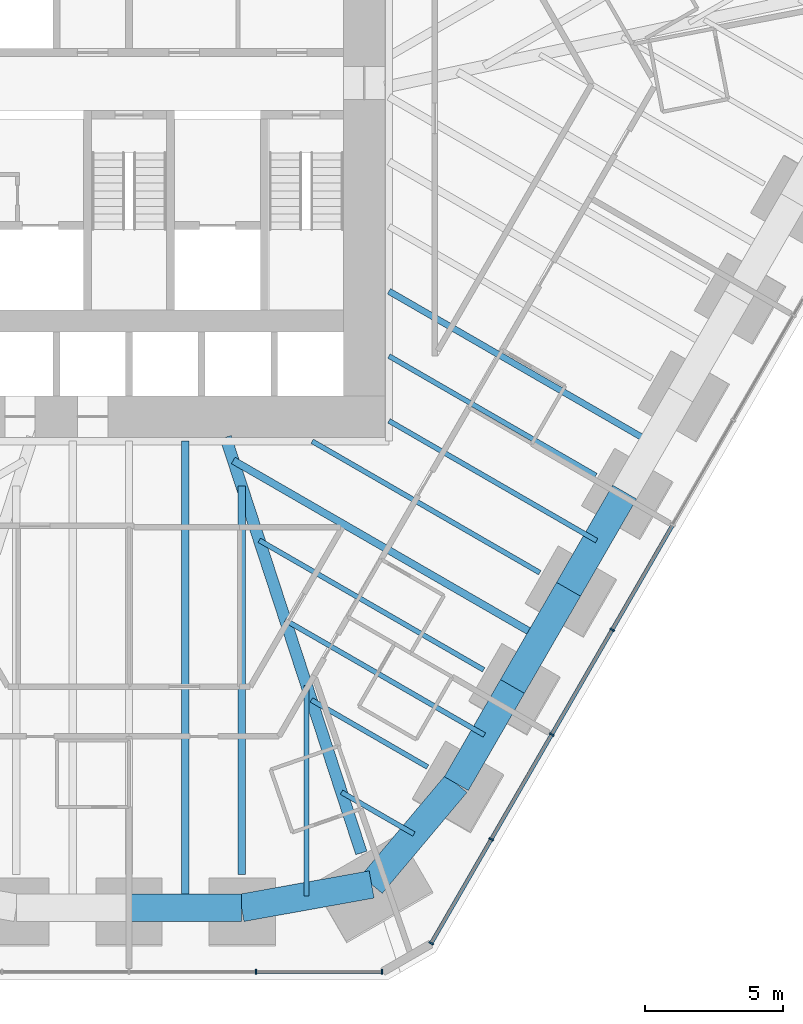
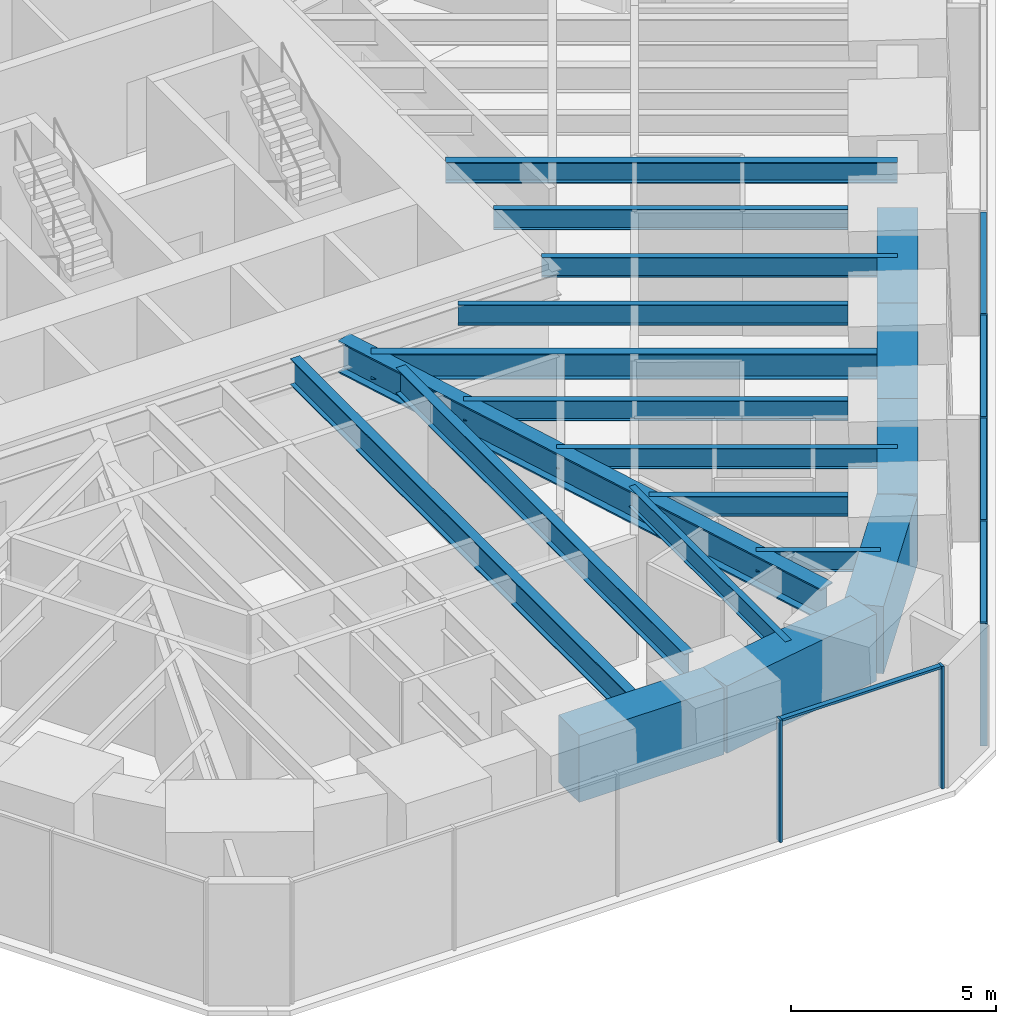
# One storey, part 5 of 17: 19 beams, 11 members, 2 elements without a shape of their own.
"""IFC4 building model written with IfcOpenShell, lengths in metres."""

import ifcopenshell
import ifcopenshell.guid

model = None  # the IFC model being written
_history = None  # IfcOwnerHistory: only IFC2X3 demands one
_inside = {}  # id of a spatial element -> (the spatial element, [elements in it])
_under = {}  # id of a project, library or spatial element -> (it, [spatial elements below it])
_declared = {}  # id of a project -> (the project, [libraries it declares])
_typed = {}  # id of a type object -> (the type object, [elements of that type])
_made_of = {}  # id of a material, layer set ... -> (it, [elements and type objects made of it])


def new_model(schema):
    """Start an empty IFC model of exactly this schema.

    Asked for "IFC4X3", IfcOpenShell would pick the latest addendum, in which some entities
    have other attributes; the version numbers below select the first issue.
    IFC2X3 requires an IfcOwnerHistory on every rooted entity: one is made here for all.
    """
    global model, _history
    if schema == "IFC4X3":
        model = ifcopenshell.file(schema_version=(4, 3, 0, 0))
    else:
        model = ifcopenshell.file(schema=schema)
    _inside.clear()
    _under.clear()
    _declared.clear()
    _typed.clear()
    _made_of.clear()
    _history = None
    if model.schema == "IFC2X3":
        org = make("IfcOrganization", Name="unknown")
        user = make(
            "IfcPersonAndOrganization",
            ThePerson=make("IfcPerson", FamilyName="unknown"),
            TheOrganization=org,
        )
        app = make(
            "IfcApplication",
            ApplicationDeveloper=org,
            Version="unknown",
            ApplicationFullName="unknown",
            ApplicationIdentifier="unknown",
        )
        _history = make(
            "IfcOwnerHistory",
            OwningUser=user,
            OwningApplication=app,
            ChangeAction="ADDED",
            CreationDate=0,
        )
    return model


def make(cls, **values):
    """One entity of the class cls with the attributes given. An attribute that is None is left unset."""
    return model.create_entity(
        cls, **{name: value for name, value in values.items() if value is not None}
    )


def rooted(cls, **values):
    """An entity with a GlobalId (a new one), such as an element, a storey or a relation."""
    return make(cls, GlobalId=ifcopenshell.guid.new(), OwnerHistory=_history, **values)


def si_unit(unit_type, name, prefix=None):
    """IfcSIUnit, for example si_unit("LENGTHUNIT", "METRE", prefix="MILLI")."""
    return make("IfcSIUnit", UnitType=unit_type, Prefix=prefix, Name=name)


def assignment(units):
    """IfcUnitAssignment: the units of a project."""
    return None if units is None else make("IfcUnitAssignment", Units=units)


def point(xyz):
    """IfcCartesianPoint."""
    return None if xyz is None else make("IfcCartesianPoint", Coordinates=xyz)


def direction(xyz):
    """IfcDirection."""
    return None if xyz is None else make("IfcDirection", DirectionRatios=xyz)


def frame(location, z_axis=None, x_axis=None):
    """IfcAxis2Placement3D, a coordinate frame: its origin and axes. An axis left out is left unset."""
    return make(
        "IfcAxis2Placement3D",
        Location=point(location),
        Axis=direction(z_axis),
        RefDirection=direction(x_axis),
    )


def frame_2d(location, x_axis=None):
    """IfcAxis2Placement2D, a coordinate frame in the plane: its origin and x axis."""
    return make(
        "IfcAxis2Placement2D", Location=point(location), RefDirection=direction(x_axis)
    )


def origin():
    """The frame at (0, 0, 0) with its axes left unset."""
    return frame((0.0, 0.0, 0.0))


def origin_2d():
    """The frame at (0, 0) in the plane with its x axis left unset."""
    return frame_2d((0.0, 0.0))


def place(relative_to, where):
    """IfcLocalPlacement: puts the frame where relative to a parent placement (None: the world)."""
    return make(
        "IfcLocalPlacement", PlacementRelTo=relative_to, RelativePlacement=where
    )


def context(
    kind, dimensions, precision=None, world=None, true_north=None, identifier=None
):
    """IfcGeometricRepresentationContext, for example the 3D "Model" context."""
    return make(
        "IfcGeometricRepresentationContext",
        ContextIdentifier=identifier,
        ContextType=kind,
        CoordinateSpaceDimension=dimensions,
        Precision=precision,
        WorldCoordinateSystem=world,
        TrueNorth=true_north,
    )


def subcontext(parent, identifier, kind, view, scale=None):
    """IfcGeometricRepresentationSubContext, for example "Body" below "Model"."""
    return make(
        "IfcGeometricRepresentationSubContext",
        ContextIdentifier=identifier,
        ContextType=kind,
        ParentContext=parent,
        TargetScale=scale,
        TargetView=view,
    )


def project(units=None, contexts=None):
    """IfcProject with its units and contexts."""
    return rooted(
        "IfcProject",
        Name="project",
        RepresentationContexts=contexts,
        UnitsInContext=assignment(units),
    )


def spatial(cls, under=None, at=None, **own):
    """A site, building, storey or space (cls), placed at a placement, below another one or the project."""
    s = rooted(cls, ObjectPlacement=at, **own)
    if under is not None:
        _under.setdefault(under.id(), (under, []))[1].append(s)
    return s


def profile(cls, at=None, kind="AREA", **sizes):
    """A parametric profile (cls). Its sizes go by their IFC names, for example OverallWidth=200.0."""
    return make(cls, ProfileType=kind, Position=at, **sizes)


def rectangle(**sizes):
    """IfcRectangleProfileDef."""
    return profile("IfcRectangleProfileDef", **sizes)


def i_section(**sizes):
    """IfcIShapeProfileDef."""
    return profile("IfcIShapeProfileDef", **sizes)


def extrude(swept, where, along, depth):
    """IfcExtrudedAreaSolid: the profile swept, set in the frame where, extruded along a direction by depth."""
    return make(
        "IfcExtrudedAreaSolid",
        SweptArea=swept,
        Position=where,
        ExtrudedDirection=direction(along),
        Depth=depth,
    )


def shape(context_of_items, identifier, shape_type, items):
    """IfcShapeRepresentation: the items that make up one representation, for example the "Body"."""
    return make(
        "IfcShapeRepresentation",
        ContextOfItems=context_of_items,
        RepresentationIdentifier=identifier,
        RepresentationType=shape_type,
        Items=items,
    )


def material(Name=None, Category=None):
    """IfcMaterial."""
    return make("IfcMaterial", Name=Name, Category=Category)


def material_profile(
    of_material, cross_section, Name=None, Category=None, Priority=None
):
    """IfcMaterialProfile: a cross section and its material."""
    return make(
        "IfcMaterialProfile",
        Name=Name,
        Material=of_material,
        Profile=cross_section,
        Priority=Priority,
        Category=Category,
    )


def profile_set(profiles, Name=None, composite=None):
    """IfcMaterialProfileSet."""
    return make(
        "IfcMaterialProfileSet",
        Name=Name,
        MaterialProfiles=profiles,
        CompositeProfile=composite,
    )


def made_of(thing, what):
    """Note that an element or type object is made of a material, layer set ...; save() writes the relation."""
    if what is not None:
        _made_of.setdefault(what.id(), (what, []))[1].append(thing)
    return thing


def type_object(cls, material=None, **own):
    """A type object (cls), such as IfcWallType, which elements share."""
    return made_of(rooted(cls, **own), material)


def element(
    cls,
    number,
    at=None,
    inside=None,
    cuts=None,
    type_object=None,
    material=None,
    context=None,
    identifier="Body",
    shape_type=None,
    held_by="IfcProductDefinitionShape",
    body=None,
    shapes=None,
    **own,
):
    """One element of the class cls, such as IfcWall. Its Tag is "e" and its number.

    at: its placement. inside: the storey or other place that contains it. cuts: it is an
    opening in that element (IfcRelVoidsElement). A single representation is given by context,
    identifier, shape_type and body (its items); several are given by shapes. held_by: the class
    of the entity that holds the representations. save() writes the other relations.
    """
    e = rooted(cls, Tag="e%d" % number, ObjectPlacement=at, **own)
    if body is not None:
        shapes = [shape(context, identifier, shape_type, body)]
    if shapes is not None:
        e.Representation = make(held_by, Representations=shapes)
    if inside is not None:
        _inside.setdefault(inside.id(), (inside, []))[1].append(e)
    if cuts is not None:
        rooted(
            "IfcRelVoidsElement", RelatingBuildingElement=cuts, RelatedOpeningElement=e
        )
    if type_object is not None:
        _typed.setdefault(type_object.id(), (type_object, []))[1].append(e)
    return made_of(e, material)


def aggregate(whole, parts):
    """IfcRelAggregates: a whole, such as a stair, and the parts it consists of."""
    return rooted("IfcRelAggregates", RelatingObject=whole, RelatedObjects=parts)


def save(model, path):
    """Write the relations noted so far, then the file.

    IfcRelAggregates (storeys below a building ...), IfcRelContainedInSpatialStructure (elements
    in a storey), IfcRelDefinesByType, IfcRelAssociatesMaterial and IfcRelDeclares: one each for
    every whole, place, type object, material and project.
    """
    for whole, parts in _under.values():
        aggregate(whole, parts)
    for where, things in _inside.values():
        rooted(
            "IfcRelContainedInSpatialStructure",
            RelatedElements=things,
            RelatingStructure=where,
        )
    for kind, things in _typed.values():
        rooted("IfcRelDefinesByType", RelatedObjects=things, RelatingType=kind)
    for what, things in _made_of.values():
        rooted("IfcRelAssociatesMaterial", RelatedObjects=things, RelatingMaterial=what)
    for by, libraries in _declared.values():
        rooted("IfcRelDeclares", RelatingContext=by, RelatedDefinitions=libraries)
    model.write(path)


model = new_model("IFC4")

# Units and contexts
model_context = context("Model", 3, precision=1e-05, world=origin(), true_north=direction((0.0, 1.0)))
body_context = subcontext(model_context, "Body", "Model", "MODEL_VIEW")
ifc_project = project(units=[si_unit("LENGTHUNIT", "METRE"), si_unit("AREAUNIT", "SQUARE_METRE"), si_unit("VOLUMEUNIT", "CUBIC_METRE"), si_unit("PLANEANGLEUNIT", "RADIAN"), si_unit("MASSUNIT", "GRAM", prefix="KILO")], contexts=[model_context])

# Site, building, storey
site_placement = place(None, origin())
site = spatial("IfcSite", under=ifc_project, at=site_placement, CompositionType="ELEMENT")
building_placement = place(site_placement, origin())
building = spatial("IfcBuilding", under=site, at=building_placement, Name="Sandreach Pilgrim Tower", CompositionType="ELEMENT")
storey_placement = place(building_placement, frame((0.0, 0.0, 76.199951171875)))
storey = spatial("IfcBuildingStorey", under=building, at=storey_placement, Name="L18", CompositionType="ELEMENT", Elevation=76.199951171875)

# Curtain wall, members
ifc_material_1 = material(Name="Aluminium framed curtain wall", Category="aluminium")
curtain_wall_type = type_object("IfcCurtainWallType", Name="Hostel tower curtain wall", PredefinedType="NOTDEFINED", material=ifc_material_1)
curtain_wall_1_placement = place(storey_placement, origin())
curtain_wall_1 = element("IfcCurtainWall", 1, at=curtain_wall_1_placement, inside=storey, type_object=curtain_wall_type, Name="CW-1 L18 SE", PredefinedType="NOTDEFINED")
ifc_material_2 = material(Name="Aluminium extrusion", Category="aluminium")
ifc_material_profile_1 = material_profile(ifc_material_2, rectangle(XDim=0.06494140625, YDim=0.179931640625, at=origin_2d()), Name="CW-1M 65X180")
ifc_profile_set_1 = profile_set([ifc_material_profile_1], Name="Aluminium extrusion")
member_type_1 = type_object("IfcMemberType", Name="CW-1 mullion", PredefinedType="MULLION", material=ifc_profile_set_1)
member_1_placement = place(storey_placement, frame((17.46142578125, -17.6533203125, 0.0), z_axis=(0.0, 0.0, 1.0), x_axis=(-0.5, -0.866025403784, 0.0)))
member_1 = element("IfcMember", 2, at=member_1_placement, type_object=member_type_1, Name="CW-1 mullion 7", PredefinedType="MULLION", context=body_context, shape_type="SweptSolid", body=[
    extrude(rectangle(XDim=0.06494140625, YDim=0.179931640625, at=origin_2d()), origin(), (0.0, 0.0, 1.0), 3.64013671875),
])
member_2_placement = place(storey_placement, frame((15.275634765625, -21.439208984375, 0.0), z_axis=(0.0, 0.0, 1.0), x_axis=(-0.5, -0.866025403784, 0.0)))
member_2 = element("IfcMember", 3, at=member_2_placement, type_object=member_type_1, Name="CW-1 mullion 8", PredefinedType="MULLION", context=body_context, shape_type="SweptSolid", body=[
    extrude(rectangle(XDim=0.06494140625, YDim=0.179931640625, at=origin_2d()), origin(), (0.0, 0.0, 1.0), 3.64013671875),
])
member_3_placement = place(storey_placement, frame((13.08984375, -25.22509765625, 0.0), z_axis=(0.0, 0.0, 1.0), x_axis=(-0.5, -0.866025403784, 0.0)))
member_3 = element("IfcMember", 4, at=member_3_placement, type_object=member_type_1, Name="CW-1 mullion 9", PredefinedType="MULLION", context=body_context, shape_type="SweptSolid", body=[
    extrude(rectangle(XDim=0.06494140625, YDim=0.179931640625, at=origin_2d()), origin(), (0.0, 0.0, 1.0), 3.64013671875),
])
member_4_placement = place(storey_placement, frame((10.92041015625, -28.982666015625, 0.0), z_axis=(0.0, 0.0, 1.0), x_axis=(-0.5, -0.866025403784, 0.0)))
member_4 = element("IfcMember", 5, at=member_4_placement, type_object=member_type_1, Name="CW-1 mullion 10", PredefinedType="MULLION", context=body_context, shape_type="SweptSolid", body=[
    extrude(rectangle(XDim=0.06494140625, YDim=0.179931640625, at=origin_2d()), origin(), (0.0, 0.0, 1.0), 3.64013671875),
])

curtain_wall_2_placement = place(storey_placement, origin())
curtain_wall_2 = element("IfcCurtainWall", 6, at=curtain_wall_2_placement, inside=storey, type_object=curtain_wall_type, Name="CW-1 L18 S", PredefinedType="NOTDEFINED")
member_5_placement = place(storey_placement, frame((9.1396484375, -30.010986328125, 0.0), z_axis=(0.0, 0.0, 1.0), x_axis=(-1.0, 0.0, 0.0)))
member_5 = element("IfcMember", 7, at=member_5_placement, type_object=member_type_1, Name="CW-1 mullion 1", PredefinedType="MULLION", context=body_context, shape_type="SweptSolid", body=[
    extrude(rectangle(XDim=0.06494140625, YDim=0.179931640625, at=origin_2d()), origin(), (0.0, 0.0, 1.0), 3.64013671875),
])
member_6_placement = place(storey_placement, frame((4.5859375, -30.010986328125, 0.0), z_axis=(0.0, 0.0, 1.0), x_axis=(-1.0, 0.0, 0.0)))
member_6 = element("IfcMember", 8, at=member_6_placement, type_object=member_type_1, Name="CW-1 mullion 2", PredefinedType="MULLION", context=body_context, shape_type="SweptSolid", body=[
    extrude(rectangle(XDim=0.06494140625, YDim=0.179931640625, at=origin_2d()), origin(), (0.0, 0.0, 1.0), 3.64013671875),
])

# Member
ifc_material_3 = material(Name="Aluminium extrusion", Category="aluminium")
ifc_material_profile_2 = material_profile(ifc_material_3, rectangle(XDim=0.139892578125, YDim=0.070068359375, at=origin_2d()), Name="CW-1T 140X70")
ifc_profile_set_2 = profile_set([ifc_material_profile_2], Name="Aluminium extrusion")
member_type_2 = type_object("IfcMemberType", Name="CW-1 transom", PredefinedType="USERDEFINED", material=ifc_profile_set_2)
member_7_placement = place(storey_placement, frame((19.631103515625, -13.8955078125, 3.60498046875), z_axis=(-0.500016891966, -0.866015650984, 0.0), x_axis=(0.866015650984, -0.500016891966, 0.0)))
member_7 = element("IfcMember", 9, at=member_7_placement, type_object=member_type_2, Name="CW-1 head transom 6", ObjectType="TRANSOM", PredefinedType="USERDEFINED", context=body_context, shape_type="SweptSolid", body=[
    extrude(rectangle(XDim=0.139892578125, YDim=0.070068359375, at=origin_2d()), origin(), (0.0, 0.0, 1.0), 4.306396484375),
])

member_8_placement = place(storey_placement, frame((17.4453125, -17.681396484375, 3.60498046875), z_axis=(-0.500016891966, -0.866015650984, 0.0), x_axis=(0.866015650984, -0.500016891966, 0.0)))
member_8 = element("IfcMember", 10, at=member_8_placement, type_object=member_type_2, Name="CW-1 head transom 7", ObjectType="TRANSOM", PredefinedType="USERDEFINED", context=body_context, shape_type="SweptSolid", body=[
    extrude(rectangle(XDim=0.139892578125, YDim=0.070068359375, at=origin_2d()), origin(), (0.0, 0.0, 1.0), 4.306396484375),
])

member_9_placement = place(storey_placement, frame((15.259521484375, -21.46728515625, 3.60498046875), z_axis=(-0.500016891966, -0.866015650984, 0.0), x_axis=(0.866015650984, -0.500016891966, 0.0)))
member_9 = element("IfcMember", 11, at=member_9_placement, type_object=member_type_2, Name="CW-1 head transom 8", ObjectType="TRANSOM", PredefinedType="USERDEFINED", context=body_context, shape_type="SweptSolid", body=[
    extrude(rectangle(XDim=0.139892578125, YDim=0.070068359375, at=origin_2d()), origin(), (0.0, 0.0, 1.0), 4.306396484375),
])

member_10_placement = place(storey_placement, frame((13.07373046875, -25.253173828125, 3.60498046875), z_axis=(-0.500033953635, -0.866005799756, 0.0), x_axis=(0.866005799756, -0.500033953635, 0.0)))
member_10 = element("IfcMember", 12, at=member_10_placement, type_object=member_type_2, Name="CW-1 head transom 9", ObjectType="TRANSOM", PredefinedType="USERDEFINED", context=body_context, shape_type="SweptSolid", body=[
    extrude(rectangle(XDim=0.139892578125, YDim=0.070068359375, at=origin_2d()), origin(), (0.0, 0.0, 1.0), 4.274169921875),
])

aggregate(curtain_wall_1, [member_1, member_2, member_3, member_4, member_7, member_8, member_9, member_10])

member_11_placement = place(storey_placement, frame((9.107177734375, -30.010986328125, 3.60498046875), z_axis=(-1.0, 0.0, 0.0), x_axis=(0.0, -1.0, 0.0)))
member_11 = element("IfcMember", 13, at=member_11_placement, type_object=member_type_2, Name="CW-1 head transom 1", ObjectType="TRANSOM", PredefinedType="USERDEFINED", context=body_context, shape_type="SweptSolid", body=[
    extrude(rectangle(XDim=0.139892578125, YDim=0.070068359375, at=origin_2d()), origin(), (0.0, 0.0, 1.0), 4.488525390625),
])

aggregate(curtain_wall_2, [member_5, member_6, member_11])

# Beams
ifc_material_4 = material(Name="Steel ASTM A992 Grade 50", Category="steel")
ifc_material_profile_3 = material_profile(ifc_material_4, i_section(OverallWidth=0.424072265625, OverallDepth=0.947509765625, WebThickness=0.02392578125, FlangeThickness=0.042724609375, at=origin_2d()), Name="W36X302")
ifc_profile_set_3 = profile_set([ifc_material_profile_3], Name="Steel ASTM A992 Grade 50")
beam_type_1 = type_object("IfcBeamType", Name="Corner girder W36X302", PredefinedType="BEAM", material=ifc_profile_set_3)
beam_1_placement = place(storey_placement, frame((8.395263671875, -25.71826171875, 3.166259765625), z_axis=(-0.310324547383, 0.950630672391, 0.0), x_axis=(-0.950630672391, -0.310324547383, 0.0)))
element("IfcBeam", 14, at=beam_1_placement, inside=storey, type_object=beam_type_1, Name="BM L18 CG22", PredefinedType="BEAM", context=body_context, shape_type="SweptSolid", body=[
    extrude(i_section(OverallWidth=0.424072265625, OverallDepth=0.947509765625, WebThickness=0.02392578125, FlangeThickness=0.042724609375, at=origin_2d()), origin(), (0.0, 0.0, 1.0), 15.79833984375),
])
ifc_material_5 = material(Name="Steel ASTM A992 Grade 50", Category="steel")
ifc_material_profile_4 = material_profile(ifc_material_5, i_section(OverallWidth=0.1787109375, OverallDepth=0.60205078125, WebThickness=0.010986328125, FlangeThickness=0.014892578125, at=origin_2d()), Name="W24X62")
ifc_profile_set_4 = profile_set([ifc_material_profile_4], Name="Steel ASTM A992 Grade 50")
beam_type_2 = type_object("IfcBeamType", Name="Floor beam W24X62", PredefinedType="BEAM", material=ifc_profile_set_4)
beam_2_placement = place(storey_placement, frame((16.87060546875, -12.0810546875, 3.339111328125), z_axis=(-0.866031607779, 0.499989254212, 0.0), x_axis=(-0.499989254212, -0.866031607779, 0.0)))
element("IfcBeam", 15, at=beam_2_placement, inside=storey, type_object=beam_type_2, Name="BM L18 F18", PredefinedType="BEAM", context=body_context, shape_type="SweptSolid", body=[
    extrude(i_section(OverallWidth=0.1787109375, OverallDepth=0.60205078125, WebThickness=0.010986328125, FlangeThickness=0.014892578125, at=origin_2d()), origin(), (0.0, 0.0, 1.0), 8.634033203125),
])
beam_3_placement = place(storey_placement, frame((14.843505859375, -15.592529296875, 3.339111328125), z_axis=(-0.866021648766, 0.500006503827, 0.0), x_axis=(-0.500006503827, -0.866021648766, 0.0)))
element("IfcBeam", 16, at=beam_3_placement, inside=storey, type_object=beam_type_2, Name="BM L18 F19", PredefinedType="BEAM", context=body_context, shape_type="SweptSolid", body=[
    extrude(i_section(OverallWidth=0.1787109375, OverallDepth=0.60205078125, WebThickness=0.010986328125, FlangeThickness=0.014892578125, at=origin_2d()), origin(), (0.0, 0.0, 1.0), 9.498291015625),
])
beam_4_placement = place(storey_placement, frame((12.816162109375, -19.103759765625, 3.339111328125), z_axis=(-0.866024919851, 0.500000838196, 0.0), x_axis=(-0.500000838196, -0.866024919851, 0.0)))
element("IfcBeam", 17, at=beam_4_placement, inside=storey, type_object=beam_type_2, Name="BM L18 F20", PredefinedType="BEAM", context=body_context, shape_type="SweptSolid", body=[
    extrude(i_section(OverallWidth=0.1787109375, OverallDepth=0.60205078125, WebThickness=0.010986328125, FlangeThickness=0.014892578125, at=origin_2d()), origin(), (0.0, 0.0, 1.0), 9.36279296875),
])
beam_5_placement = place(storey_placement, frame((10.7890625, -22.614990234375, 3.339111328125), z_axis=(-0.866037134122, 0.499979681909, 0.0), x_axis=(-0.499979681909, -0.866037134122, 0.0)))
element("IfcBeam", 18, at=beam_5_placement, inside=storey, type_object=beam_type_2, Name="BM L18 F21", PredefinedType="BEAM", context=body_context, shape_type="SweptSolid", body=[
    extrude(i_section(OverallWidth=0.1787109375, OverallDepth=0.60205078125, WebThickness=0.010986328125, FlangeThickness=0.014892578125, at=origin_2d()), origin(), (0.0, 0.0, 1.0), 4.847412109375),
])
beam_6_placement = place(storey_placement, frame((16.896240234375, -14.436767578125, 3.339111328125), z_axis=(-0.866026971441, 0.499997284729, 0.0), x_axis=(-0.499997284729, -0.866026971441, 0.0)))
element("IfcBeam", 19, at=beam_6_placement, inside=storey, type_object=beam_type_2, Name="BM L18 FM18", PredefinedType="BEAM", context=body_context, shape_type="SweptSolid", body=[
    extrude(i_section(OverallWidth=0.1787109375, OverallDepth=0.60205078125, WebThickness=0.010986328125, FlangeThickness=0.014892578125, at=origin_2d()), origin(), (0.0, 0.0, 1.0), 8.66357421875),
])
beam_7_placement = place(storey_placement, frame((12.841796875, -21.45947265625, 3.339111328125), z_axis=(-0.86602208059, 0.500005755898, 0.0), x_axis=(-0.500005755898, -0.86602208059, 0.0)))
element("IfcBeam", 20, at=beam_7_placement, inside=storey, type_object=beam_type_2, Name="BM L18 FM20", PredefinedType="BEAM", context=body_context, shape_type="SweptSolid", body=[
    extrude(i_section(OverallWidth=0.1787109375, OverallDepth=0.60205078125, WebThickness=0.010986328125, FlangeThickness=0.014892578125, at=origin_2d()), origin(), (0.0, 0.0, 1.0), 8.30517578125),
])
beam_8_placement = place(storey_placement, frame((10.2978515625, -25.037109375, 3.339111328125), z_axis=(-0.866013481294, 0.500020649791, 0.0), x_axis=(-0.500020649791, -0.866013481294, 0.0)))
element("IfcBeam", 21, at=beam_8_placement, inside=storey, type_object=beam_type_2, Name="BM L18 FM21", PredefinedType="BEAM", context=body_context, shape_type="SweptSolid", body=[
    extrude(i_section(OverallWidth=0.1787109375, OverallDepth=0.60205078125, WebThickness=0.010986328125, FlangeThickness=0.014892578125, at=origin_2d()), origin(), (0.0, 0.0, 1.0), 3.023681640625),
])
beam_9_placement = place(storey_placement, frame((6.41796875, -27.281494140625, 3.339111328125), z_axis=(0.0, 1.0, 0.0), x_axis=(-1.0, 0.0, 0.0)))
element("IfcBeam", 22, at=beam_9_placement, inside=storey, type_object=beam_type_2, Name="BM L18 FM22", PredefinedType="BEAM", context=body_context, shape_type="SweptSolid", body=[
    extrude(i_section(OverallWidth=0.1787109375, OverallDepth=0.60205078125, WebThickness=0.010986328125, FlangeThickness=0.014892578125, at=origin_2d()), origin(), (0.0, 0.0, 1.0), 7.6201171875),
])
ifc_material_6 = material(Name="Steel ASTM A992 Grade 50", Category="steel")
ifc_material_profile_5 = material_profile(ifc_material_6, i_section(OverallWidth=0.23046875, OverallDepth=0.6171875, WebThickness=0.01318359375, FlangeThickness=0.022216796875, at=origin_2d()), Name="W24X94")
ifc_profile_set_5 = profile_set([ifc_material_profile_5], Name="Steel ASTM A992 Grade 50")
beam_type_3 = type_object("IfcBeamType", Name="Floor beam W24X94", PredefinedType="BEAM", material=ifc_profile_set_5)
beam_10_placement = place(storey_placement, frame((18.923583984375, -10.925537109375, 3.33154296875), z_axis=(-0.866029679712, 0.499992593803, 0.0), x_axis=(-0.499992593803, -0.866029679712, 0.0)))
element("IfcBeam", 23, at=beam_10_placement, inside=storey, type_object=beam_type_3, Name="BM L18 FM17", PredefinedType="BEAM", context=body_context, shape_type="SweptSolid", body=[
    extrude(i_section(OverallWidth=0.23046875, OverallDepth=0.6171875, WebThickness=0.01318359375, FlangeThickness=0.022216796875, at=origin_2d()), origin(), (0.0, 0.0, 1.0), 11.004638671875),
])
ifc_material_7 = material(Name="Steel ASTM A992 Grade 50", Category="steel")
ifc_material_profile_6 = material_profile(ifc_material_7, i_section(OverallWidth=0.2666015625, OverallDepth=0.761962890625, WebThickness=0.014404296875, FlangeThickness=0.021484375, at=origin_2d()), Name="W30X116")
ifc_profile_set_6 = profile_set([ifc_material_profile_6], Name="Steel ASTM A992 Grade 50")
beam_type_4 = type_object("IfcBeamType", Name="Floor beam W30X116", PredefinedType="BEAM", material=ifc_profile_set_6)
beam_11_placement = place(storey_placement, frame((4.068603515625, -26.50390625, 3.259033203125), z_axis=(0.0, 1.0, 0.0), x_axis=(-1.0, 0.0, 0.0)))
element("IfcBeam", 24, at=beam_11_placement, inside=storey, type_object=beam_type_4, Name="BM L18 F23", PredefinedType="BEAM", context=body_context, shape_type="SweptSolid", body=[
    extrude(i_section(OverallWidth=0.2666015625, OverallDepth=0.761962890625, WebThickness=0.014404296875, FlangeThickness=0.021484375, at=origin_2d()), origin(), (0.0, 0.0, 1.0), 14.0400390625),
])
beam_12_placement = place(storey_placement, frame((14.869140625, -17.947998046875, 3.259033203125), z_axis=(-0.866026708223, 0.49999774064, 0.0), x_axis=(-0.49999774064, -0.866026708223, 0.0)))
element("IfcBeam", 25, at=beam_12_placement, inside=storey, type_object=beam_type_4, Name="BM L18 FM19", PredefinedType="BEAM", context=body_context, shape_type="SweptSolid", body=[
    extrude(i_section(OverallWidth=0.2666015625, OverallDepth=0.761962890625, WebThickness=0.014404296875, FlangeThickness=0.021484375, at=origin_2d()), origin(), (0.0, 0.0, 1.0), 12.8203125),
])
ifc_material_8 = material(Name="Steel ASTM A992 Grade 50", Category="steel")
ifc_material_profile_7 = material_profile(ifc_material_8, i_section(OverallWidth=0.2666015625, OverallDepth=0.77978515625, WebThickness=0.0166015625, FlangeThickness=0.030029296875, at=origin_2d()), Name="W30X148")
ifc_profile_set_7 = profile_set([ifc_material_profile_7], Name="Steel ASTM A992 Grade 50")
beam_type_5 = type_object("IfcBeamType", Name="Floor beam W30X148", PredefinedType="BEAM", material=ifc_profile_set_7)
beam_13_placement = place(storey_placement, frame((2.0341796875, -27.703857421875, 3.250244140625), z_axis=(0.0, 1.0, 0.0), x_axis=(-1.0, 0.0, 0.0)))
element("IfcBeam", 26, at=beam_13_placement, inside=storey, type_object=beam_type_5, Name="BM L18 FM23", PredefinedType="BEAM", context=body_context, shape_type="SweptSolid", body=[
    extrude(i_section(OverallWidth=0.2666015625, OverallDepth=0.77978515625, WebThickness=0.0166015625, FlangeThickness=0.030029296875, at=origin_2d()), origin(), (0.0, 0.0, 1.0), 16.860595703125),
])
ifc_material_9 = material(Name="Concrete 10000 psi", Category="concrete")
ifc_material_profile_8 = material_profile(ifc_material_9, rectangle(XDim=1.0, YDim=2.0, at=origin_2d()), Name="RC1000X2000")
ifc_profile_set_8 = profile_set([ifc_material_profile_8], Name="Concrete 10000 psi")
beam_type_6 = type_object("IfcBeamType", Name="Spandrel beam RC1000X2000", PredefinedType="SPANDREL", material=ifc_profile_set_8)
for number, where, z_axis, x_axis, name in (
    (27, (17.909912109375, -12.68115234375, 2.64013671875), (-0.500024767483, -0.866011103799, 0.0), (0.866011103799, -0.500024767483, 0.0), "BM L18 SP18"),
    (28, (15.882568359375, -16.1923828125, 2.64013671875), (-0.499979605739, -0.866037178096, 0.0), (0.866037178096, -0.499979605739, 0.0), "BM L18 SP19"),
):
    element("IfcBeam", number, at=place(storey_placement, frame(where, z_axis=z_axis, x_axis=x_axis)), inside=storey, type_object=beam_type_6, Name=name, PredefinedType="SPANDREL", context=body_context, shape_type="SweptSolid", body=[
        extrude(rectangle(XDim=1.0, YDim=2.0, at=origin_2d()), origin(), (0.0, 0.0, 1.0), 4.054443359375),
    ])
beam_14_placement = place(storey_placement, frame((13.85546875, -19.70361328125, 2.64013671875), z_axis=(-0.499998693927, -0.866026157845, 0.0), x_axis=(0.866026157845, -0.499998693927, 0.0)))
element("IfcBeam", 29, at=beam_14_placement, inside=storey, type_object=beam_type_6, Name="BM L18 SP20", PredefinedType="SPANDREL", context=body_context, shape_type="SweptSolid", body=[
    extrude(rectangle(XDim=1.0, YDim=2.0, at=origin_2d()), origin(), (0.0, 0.0, 1.0), 4.0546875),
])
beam_15_placement = place(storey_placement, frame((11.828125, -23.215087890625, 2.64013671875), z_axis=(-0.643136738905, -0.765751353294, 0.0), x_axis=(0.765751353294, -0.643136738905, 0.0)))
element("IfcBeam", 30, at=beam_15_placement, inside=storey, type_object=beam_type_6, Name="BM L18 SP21", PredefinedType="SPANDREL", context=body_context, shape_type="SweptSolid", body=[
    extrude(rectangle(XDim=1.0, YDim=2.0, at=origin_2d()), origin(), (0.0, 0.0, 1.0), 4.7587890625),
])
beam_16_placement = place(storey_placement, frame((8.767578125, -26.859130859375, 2.64013671875), z_axis=(-0.984223063162, -0.176932082846, 0.0), x_axis=(0.176932082846, -0.984223063162, 0.0)))
element("IfcBeam", 31, at=beam_16_placement, inside=storey, type_object=beam_type_6, Name="BM L18 SP22", PredefinedType="SPANDREL", context=body_context, shape_type="SweptSolid", body=[
    extrude(rectangle(XDim=1.0, YDim=2.0, at=origin_2d()), origin(), (0.0, 0.0, 1.0), 4.7744140625),
])
beam_17_placement = place(storey_placement, frame((4.068603515625, -27.703857421875, 2.64013671875), z_axis=(-1.0, 0.0, 0.0), x_axis=(0.0, -1.0, 0.0)))
element("IfcBeam", 32, at=beam_17_placement, inside=storey, type_object=beam_type_6, Name="BM L18 SP23", PredefinedType="SPANDREL", context=body_context, shape_type="SweptSolid", body=[
    extrude(rectangle(XDim=1.0, YDim=2.0, at=origin_2d()), origin(), (0.0, 0.0, 1.0), 4.068603515625),
])

save(model, "model.ifc")
